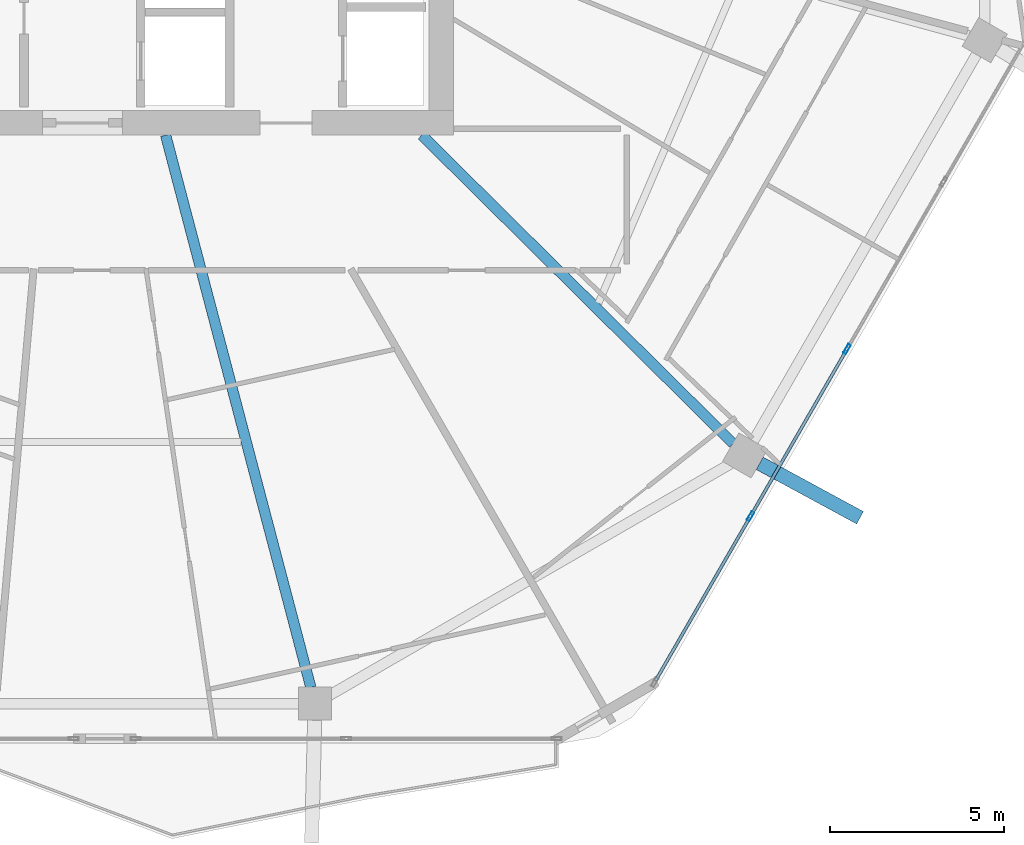
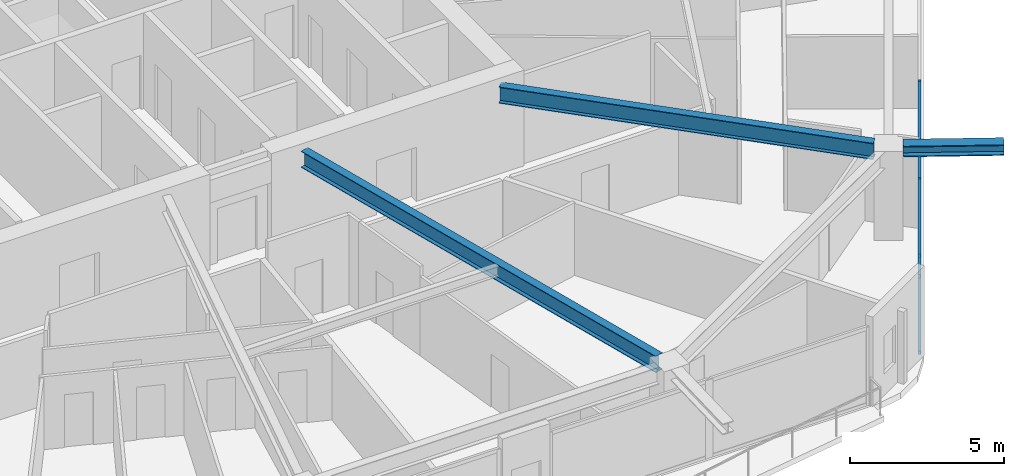
# One storey, part 8 of 25: 6 members, 3 beams, 1 element without a shape of its own.
"""IFC4 building model written with IfcOpenShell, lengths in metres."""

import ifcopenshell
import ifcopenshell.guid

model = None  # the IFC model being written
_history = None  # IfcOwnerHistory: only IFC2X3 demands one
_inside = {}  # id of a spatial element -> (the spatial element, [elements in it])
_under = {}  # id of a project, library or spatial element -> (it, [spatial elements below it])
_declared = {}  # id of a project -> (the project, [libraries it declares])
_typed = {}  # id of a type object -> (the type object, [elements of that type])
_made_of = {}  # id of a material, layer set ... -> (it, [elements and type objects made of it])


def new_model(schema):
    """Start an empty IFC model of exactly this schema.

    Asked for "IFC4X3", IfcOpenShell would pick the latest addendum, in which some entities
    have other attributes; the version numbers below select the first issue.
    IFC2X3 requires an IfcOwnerHistory on every rooted entity: one is made here for all.
    """
    global model, _history
    if schema == "IFC4X3":
        model = ifcopenshell.file(schema_version=(4, 3, 0, 0))
    else:
        model = ifcopenshell.file(schema=schema)
    _inside.clear()
    _under.clear()
    _declared.clear()
    _typed.clear()
    _made_of.clear()
    _history = None
    if model.schema == "IFC2X3":
        org = make("IfcOrganization", Name="unknown")
        user = make(
            "IfcPersonAndOrganization",
            ThePerson=make("IfcPerson", FamilyName="unknown"),
            TheOrganization=org,
        )
        app = make(
            "IfcApplication",
            ApplicationDeveloper=org,
            Version="unknown",
            ApplicationFullName="unknown",
            ApplicationIdentifier="unknown",
        )
        _history = make(
            "IfcOwnerHistory",
            OwningUser=user,
            OwningApplication=app,
            ChangeAction="ADDED",
            CreationDate=0,
        )
    return model


def make(cls, **values):
    """One entity of the class cls with the attributes given. An attribute that is None is left unset."""
    return model.create_entity(
        cls, **{name: value for name, value in values.items() if value is not None}
    )


def rooted(cls, **values):
    """An entity with a GlobalId (a new one), such as an element, a storey or a relation."""
    return make(cls, GlobalId=ifcopenshell.guid.new(), OwnerHistory=_history, **values)


def si_unit(unit_type, name, prefix=None):
    """IfcSIUnit, for example si_unit("LENGTHUNIT", "METRE", prefix="MILLI")."""
    return make("IfcSIUnit", UnitType=unit_type, Prefix=prefix, Name=name)


def assignment(units):
    """IfcUnitAssignment: the units of a project."""
    return None if units is None else make("IfcUnitAssignment", Units=units)


def point(xyz):
    """IfcCartesianPoint."""
    return None if xyz is None else make("IfcCartesianPoint", Coordinates=xyz)


def direction(xyz):
    """IfcDirection."""
    return None if xyz is None else make("IfcDirection", DirectionRatios=xyz)


def frame(location, z_axis=None, x_axis=None):
    """IfcAxis2Placement3D, a coordinate frame: its origin and axes. An axis left out is left unset."""
    return make(
        "IfcAxis2Placement3D",
        Location=point(location),
        Axis=direction(z_axis),
        RefDirection=direction(x_axis),
    )


def frame_2d(location, x_axis=None):
    """IfcAxis2Placement2D, a coordinate frame in the plane: its origin and x axis."""
    return make(
        "IfcAxis2Placement2D", Location=point(location), RefDirection=direction(x_axis)
    )


def origin():
    """The frame at (0, 0, 0) with its axes left unset."""
    return frame((0.0, 0.0, 0.0))


def origin_2d():
    """The frame at (0, 0) in the plane with its x axis left unset."""
    return frame_2d((0.0, 0.0))


def place(relative_to, where):
    """IfcLocalPlacement: puts the frame where relative to a parent placement (None: the world)."""
    return make(
        "IfcLocalPlacement", PlacementRelTo=relative_to, RelativePlacement=where
    )


def context(
    kind, dimensions, precision=None, world=None, true_north=None, identifier=None
):
    """IfcGeometricRepresentationContext, for example the 3D "Model" context."""
    return make(
        "IfcGeometricRepresentationContext",
        ContextIdentifier=identifier,
        ContextType=kind,
        CoordinateSpaceDimension=dimensions,
        Precision=precision,
        WorldCoordinateSystem=world,
        TrueNorth=true_north,
    )


def subcontext(parent, identifier, kind, view, scale=None):
    """IfcGeometricRepresentationSubContext, for example "Body" below "Model"."""
    return make(
        "IfcGeometricRepresentationSubContext",
        ContextIdentifier=identifier,
        ContextType=kind,
        ParentContext=parent,
        TargetScale=scale,
        TargetView=view,
    )


def project(units=None, contexts=None):
    """IfcProject with its units and contexts."""
    return rooted(
        "IfcProject",
        Name="project",
        RepresentationContexts=contexts,
        UnitsInContext=assignment(units),
    )


def spatial(cls, under=None, at=None, **own):
    """A site, building, storey or space (cls), placed at a placement, below another one or the project."""
    s = rooted(cls, ObjectPlacement=at, **own)
    if under is not None:
        _under.setdefault(under.id(), (under, []))[1].append(s)
    return s


def profile(cls, at=None, kind="AREA", **sizes):
    """A parametric profile (cls). Its sizes go by their IFC names, for example OverallWidth=200.0."""
    return make(cls, ProfileType=kind, Position=at, **sizes)


def hollow_rectangle(**sizes):
    """IfcRectangleHollowProfileDef."""
    return profile("IfcRectangleHollowProfileDef", **sizes)


def i_section(**sizes):
    """IfcIShapeProfileDef."""
    return profile("IfcIShapeProfileDef", **sizes)


def extrude(swept, where, along, depth):
    """IfcExtrudedAreaSolid: the profile swept, set in the frame where, extruded along a direction by depth."""
    return make(
        "IfcExtrudedAreaSolid",
        SweptArea=swept,
        Position=where,
        ExtrudedDirection=direction(along),
        Depth=depth,
    )


def shape(context_of_items, identifier, shape_type, items):
    """IfcShapeRepresentation: the items that make up one representation, for example the "Body"."""
    return make(
        "IfcShapeRepresentation",
        ContextOfItems=context_of_items,
        RepresentationIdentifier=identifier,
        RepresentationType=shape_type,
        Items=items,
    )


def material(Name=None, Category=None):
    """IfcMaterial."""
    return make("IfcMaterial", Name=Name, Category=Category)


def material_profile(
    of_material, cross_section, Name=None, Category=None, Priority=None
):
    """IfcMaterialProfile: a cross section and its material."""
    return make(
        "IfcMaterialProfile",
        Name=Name,
        Material=of_material,
        Profile=cross_section,
        Priority=Priority,
        Category=Category,
    )


def profile_set(profiles, Name=None, composite=None):
    """IfcMaterialProfileSet."""
    return make(
        "IfcMaterialProfileSet",
        Name=Name,
        MaterialProfiles=profiles,
        CompositeProfile=composite,
    )


def made_of(thing, what):
    """Note that an element or type object is made of a material, layer set ...; save() writes the relation."""
    if what is not None:
        _made_of.setdefault(what.id(), (what, []))[1].append(thing)
    return thing


def type_object(cls, material=None, **own):
    """A type object (cls), such as IfcWallType, which elements share."""
    return made_of(rooted(cls, **own), material)


def element(
    cls,
    number,
    at=None,
    inside=None,
    cuts=None,
    type_object=None,
    material=None,
    context=None,
    identifier="Body",
    shape_type=None,
    held_by="IfcProductDefinitionShape",
    body=None,
    shapes=None,
    **own,
):
    """One element of the class cls, such as IfcWall. Its Tag is "e" and its number.

    at: its placement. inside: the storey or other place that contains it. cuts: it is an
    opening in that element (IfcRelVoidsElement). A single representation is given by context,
    identifier, shape_type and body (its items); several are given by shapes. held_by: the class
    of the entity that holds the representations. save() writes the other relations.
    """
    e = rooted(cls, Tag="e%d" % number, ObjectPlacement=at, **own)
    if body is not None:
        shapes = [shape(context, identifier, shape_type, body)]
    if shapes is not None:
        e.Representation = make(held_by, Representations=shapes)
    if inside is not None:
        _inside.setdefault(inside.id(), (inside, []))[1].append(e)
    if cuts is not None:
        rooted(
            "IfcRelVoidsElement", RelatingBuildingElement=cuts, RelatedOpeningElement=e
        )
    if type_object is not None:
        _typed.setdefault(type_object.id(), (type_object, []))[1].append(e)
    return made_of(e, material)


def aggregate(whole, parts):
    """IfcRelAggregates: a whole, such as a stair, and the parts it consists of."""
    return rooted("IfcRelAggregates", RelatingObject=whole, RelatedObjects=parts)


def save(model, path):
    """Write the relations noted so far, then the file.

    IfcRelAggregates (storeys below a building ...), IfcRelContainedInSpatialStructure (elements
    in a storey), IfcRelDefinesByType, IfcRelAssociatesMaterial and IfcRelDeclares: one each for
    every whole, place, type object, material and project.
    """
    for whole, parts in _under.values():
        aggregate(whole, parts)
    for where, things in _inside.values():
        rooted(
            "IfcRelContainedInSpatialStructure",
            RelatedElements=things,
            RelatingStructure=where,
        )
    for kind, things in _typed.values():
        rooted("IfcRelDefinesByType", RelatedObjects=things, RelatingType=kind)
    for what, things in _made_of.values():
        rooted("IfcRelAssociatesMaterial", RelatedObjects=things, RelatingMaterial=what)
    for by, libraries in _declared.values():
        rooted("IfcRelDeclares", RelatingContext=by, RelatedDefinitions=libraries)
    model.write(path)


model = new_model("IFC4")

# Units and contexts
model_context = context("Model", 3, precision=1e-05, world=origin(), true_north=direction((0.0, 1.0)))
body_context = subcontext(model_context, "Body", "Model", "MODEL_VIEW")
ifc_project = project(units=[si_unit("LENGTHUNIT", "METRE"), si_unit("AREAUNIT", "SQUARE_METRE"), si_unit("VOLUMEUNIT", "CUBIC_METRE"), si_unit("PLANEANGLEUNIT", "RADIAN"), si_unit("MASSUNIT", "GRAM", prefix="KILO")], contexts=[model_context])

# Site, building, storey
site_placement = place(None, origin())
site = spatial("IfcSite", under=ifc_project, at=site_placement, CompositionType="ELEMENT")
building_placement = place(site_placement, origin())
building = spatial("IfcBuilding", under=site, at=building_placement, Name="Zuhravey Tower", CompositionType="ELEMENT")
storey_placement = place(building_placement, frame((0.0, 0.0, 196.0)))
storey = spatial("IfcBuildingStorey", under=building, at=storey_placement, Name="L49", CompositionType="ELEMENT", Elevation=196.0)

# Curtain wall, members
ifc_material_1 = material(Name="Thermally broken anodised aluminium", Category="aluminium")
curtain_wall_type = type_object("IfcCurtainWallType", Name="Zone 1-2 Residential Curtain Wall CW3", PredefinedType="NOTDEFINED", material=ifc_material_1)
curtain_wall_placement = place(storey_placement, origin())
curtain_wall = element("IfcCurtainWall", 1, at=curtain_wall_placement, inside=storey, type_object=curtain_wall_type, Name="L49 CW3 CW-L49-F6-1", PredefinedType="NOTDEFINED")
ifc_material_2 = material(Name="Anodised aluminium", Category="aluminium")
ifc_material_profile_1 = material_profile(ifc_material_2, hollow_rectangle(XDim=0.090087890625, YDim=0.284912109375, WallThickness=0.0048828125, at=origin_2d()), Name="ALU-RHS-90x285x5")
ifc_profile_set_1 = profile_set([ifc_material_profile_1], Name="Anodised aluminium")
member_type_1 = type_object("IfcMemberType", Name="Curtain-Wall Mullion 90x180", PredefinedType="MULLION", material=ifc_profile_set_1)
member_1_placement = place(storey_placement, frame((58.155029296875, 16.007568359375, 0.0), z_axis=(0.0, 0.0, 1.0), x_axis=(0.866025138215, -0.500000459979, 0.0)))
member_1 = element("IfcMember", 2, at=member_1_placement, type_object=member_type_1, Name="CW3 mullion 4", PredefinedType="MULLION", context=body_context, shape_type="SweptSolid", body=[
    extrude(hollow_rectangle(XDim=0.090087890625, YDim=0.284912109375, WallThickness=0.0048828125, at=origin_2d()), origin(), (0.0, 0.0, 1.0), 3.1220703125),
])
member_2_placement = place(storey_placement, frame((55.3828125, 11.2060546875, 0.0), z_axis=(0.0, 0.0, 1.0), x_axis=(0.866025138215, -0.500000459979, 0.0)))
member_2 = element("IfcMember", 3, at=member_2_placement, type_object=member_type_1, Name="CW3 mullion 5", PredefinedType="MULLION", context=body_context, shape_type="SweptSolid", body=[
    extrude(hollow_rectangle(XDim=0.090087890625, YDim=0.284912109375, WallThickness=0.0048828125, at=origin_2d()), origin(), (0.0, 0.0, 1.0), 3.1220703125),
])
ifc_material_profile_2 = material_profile(ifc_material_2, hollow_rectangle(XDim=0.090087890625, YDim=0.14990234375, WallThickness=0.0048828125, at=origin_2d()), Name="ALU-RHS-90x150x5")
ifc_profile_set_2 = profile_set([ifc_material_profile_2], Name="Anodised aluminium")
member_type_2 = type_object("IfcMemberType", Name="Curtain-Wall Transom 90x150", PredefinedType="USERDEFINED", material=ifc_profile_set_2)
member_3_placement = place(storey_placement, frame((58.132568359375, 15.96875, 0.044921875), z_axis=(-0.49996138257, -0.86604769842, 0.0), x_axis=(0.86604769842, -0.49996138257, 0.0)))
member_3 = element("IfcMember", 4, at=member_3_placement, type_object=member_type_2, Name="CW3 transom 4.1", ObjectType="TRANSOM", PredefinedType="USERDEFINED", context=body_context, shape_type="SweptSolid", body=[
    extrude(hollow_rectangle(XDim=0.090087890625, YDim=0.14990234375, WallThickness=0.0048828125, at=origin_2d()), origin(), (0.0, 0.0, 1.0), 5.45458984375),
])
member_4_placement = place(storey_placement, frame((58.132568359375, 15.96875, 3.076904296875), z_axis=(-0.49996138257, -0.86604769842, 0.0), x_axis=(0.86604769842, -0.49996138257, 0.0)))
member_4 = element("IfcMember", 5, at=member_4_placement, type_object=member_type_2, Name="CW3 transom 4.2", ObjectType="TRANSOM", PredefinedType="USERDEFINED", context=body_context, shape_type="SweptSolid", body=[
    extrude(hollow_rectangle(XDim=0.090087890625, YDim=0.14990234375, WallThickness=0.0048828125, at=origin_2d()), origin(), (0.0, 0.0, 1.0), 5.45458984375),
])
member_5_placement = place(storey_placement, frame((55.3603515625, 11.1669921875, 0.044921875), z_axis=(-0.499993332629, -0.866029253159, 0.0), x_axis=(0.866029253159, -0.499993332629, 0.0)))
member_5 = element("IfcMember", 6, at=member_5_placement, type_object=member_type_2, Name="CW3 transom 5.1", ObjectType="TRANSOM", PredefinedType="USERDEFINED", context=body_context, shape_type="SweptSolid", body=[
    extrude(hollow_rectangle(XDim=0.090087890625, YDim=0.14990234375, WallThickness=0.0048828125, at=origin_2d()), origin(), (0.0, 0.0, 1.0), 5.4091796875),
])
member_6_placement = place(storey_placement, frame((55.3603515625, 11.1669921875, 3.076904296875), z_axis=(-0.499993332629, -0.866029253159, 0.0), x_axis=(0.866029253159, -0.499993332629, 0.0)))
member_6 = element("IfcMember", 7, at=member_6_placement, type_object=member_type_2, Name="CW3 transom 5.2", ObjectType="TRANSOM", PredefinedType="USERDEFINED", context=body_context, shape_type="SweptSolid", body=[
    extrude(hollow_rectangle(XDim=0.090087890625, YDim=0.14990234375, WallThickness=0.0048828125, at=origin_2d()), origin(), (0.0, 0.0, 1.0), 5.4091796875),
])
aggregate(curtain_wall, [member_1, member_2, member_3, member_4, member_5, member_6])

# Beams
ifc_material_3 = material(Name="Steel SM460", Category="steel")
ifc_material_profile_3 = material_profile(ifc_material_3, i_section(OverallWidth=0.406982421875, OverallDepth=0.427978515625, WebThickness=0.02001953125, FlangeThickness=0.034912109375, at=origin_2d()), Name="H-428x407x20x35")
ifc_profile_set_3 = profile_set([ifc_material_profile_3], Name="Steel SM460")
beam_type_1 = type_object("IfcBeamType", Name="Exoskeleton Node Tie Beam H428x407", PredefinedType="BEAM", material=ifc_profile_set_3)
beam_1_placement = place(storey_placement, frame((55.646728515625, 12.72509765625, 3.3359375), z_axis=(0.87911121627, -0.476616690254, 0.0), x_axis=(0.476616690254, 0.87911121627, 0.0)))
element("IfcBeam", 8, at=beam_1_placement, inside=storey, type_object=beam_type_1, Name="L49 Exoskeleton Node Tie NT1-11", PredefinedType="BEAM", context=body_context, shape_type="SweptSolid", body=[
    extrude(i_section(OverallWidth=0.406982421875, OverallDepth=0.427978515625, WebThickness=0.02001953125, FlangeThickness=0.034912109375, at=origin_2d()), origin(), (0.0, 0.0, 1.0), 3.27734375),
])
ifc_material_4 = material(Name="Steel SM355", Category="steel")
ifc_material_profile_4 = material_profile(ifc_material_4, i_section(OverallWidth=0.300048828125, OverallDepth=0.64990234375, WebThickness=0.012939453125, FlangeThickness=0.02197265625, at=origin_2d()), Name="H-650x300x13x22")
ifc_profile_set_4 = profile_set([ifc_material_profile_4], Name="Steel SM355")
beam_type_2 = type_object("IfcBeamType", Name="Radial Primary Girder H650x300", PredefinedType="BEAM", material=ifc_profile_set_4)
beam_2_placement = place(storey_placement, frame((38.5908203125, 22.14697265625, 3.22509765625), z_axis=(0.254299806285, -0.967125435775, 0.0), x_axis=(0.967125435775, 0.254299806285, 0.0)))
element("IfcBeam", 9, at=beam_2_placement, inside=storey, type_object=beam_type_2, Name="L49 RG2 BM-L49-RAD-10", PredefinedType="BEAM", context=body_context, shape_type="SweptSolid", body=[
    extrude(i_section(OverallWidth=0.300048828125, OverallDepth=0.64990234375, WebThickness=0.012939453125, FlangeThickness=0.02197265625, at=origin_2d()), origin(), (0.0, 0.0, 1.0), 16.396728515625),
])
beam_3_placement = place(storey_placement, frame((45.945556640625, 22.14697265625, 3.22509765625), z_axis=(0.710406645816, -0.703791444663, 0.0), x_axis=(0.703791444663, 0.710406645816, 0.0)))
element("IfcBeam", 10, at=beam_3_placement, inside=storey, type_object=beam_type_2, Name="L49 RG2 BM-L49-RAD-11", PredefinedType="BEAM", context=body_context, shape_type="SweptSolid", body=[
    extrude(i_section(OverallWidth=0.300048828125, OverallDepth=0.64990234375, WebThickness=0.012939453125, FlangeThickness=0.02197265625, at=origin_2d()), origin(), (0.0, 0.0, 1.0), 12.5849609375),
])

save(model, "model.ifc")
